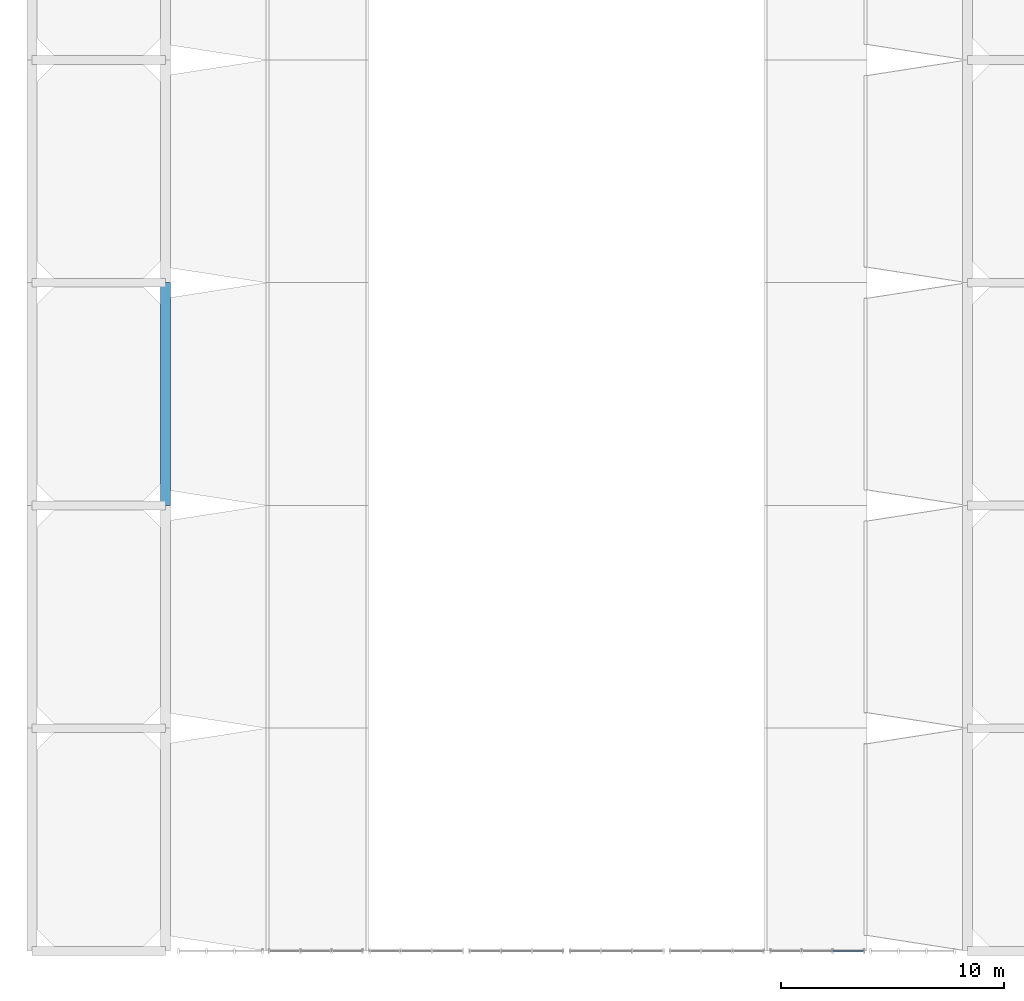
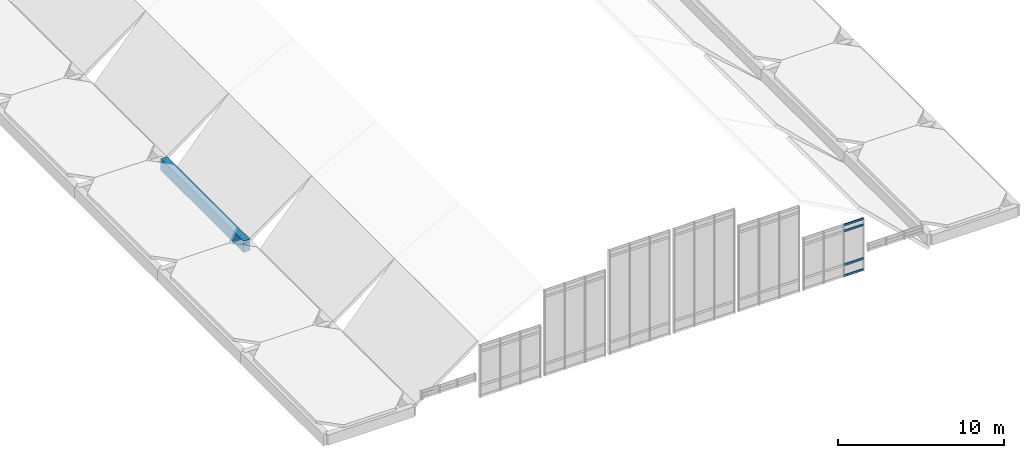
# One storey, part 45 of 82: 4 members, 1 beam, 1 element without a shape of its own.
"""IFC4 building model written with IfcOpenShell, lengths in metres."""

from ifc_helpers import new_model, si_unit, direction, frame, origin, origin_2d, place, context, subcontext, project, spatial, rectangle, hollow_rectangle, extrude, material, layer, layer_set, material_profile, profile_set, type_object, element, aggregate, save


model = new_model("IFC4")

# Units and contexts
model_context = context("Model", 3, precision=1e-05, world=origin(), true_north=direction((0.0, 1.0)))
body_context = subcontext(model_context, "Body", "Model", "MODEL_VIEW")
ifc_project = project(units=[si_unit("LENGTHUNIT", "METRE"), si_unit("AREAUNIT", "SQUARE_METRE"), si_unit("VOLUMEUNIT", "CUBIC_METRE"), si_unit("PLANEANGLEUNIT", "RADIAN"), si_unit("MASSUNIT", "GRAM", prefix="KILO")], contexts=[model_context])

# Site, building, storey
site_placement = place(None, origin())
site = spatial("IfcSite", under=ifc_project, at=site_placement, CompositionType="ELEMENT")
building_placement = place(site_placement, origin())
building = spatial("IfcBuilding", under=site, at=building_placement, Name="Mersad Railyard Sports Hall", CompositionType="ELEMENT")
storey_placement = place(building_placement, frame((0.0, 0.0, 13.199951171875)))
storey = spatial("IfcBuildingStorey", under=building, at=storey_placement, Name="L03", CompositionType="ELEMENT", Elevation=13.199951171875)

# Curtain wall, members
ifc_material_1 = material(Name="Aluminium 6063-T6", Category="aluminium")
ifc_layer = layer(ifc_material_1, 0.199951171875)
ifc_layer_set = layer_set([ifc_layer], Name="Aluminium 6063-T6")
curtain_wall_type = type_object("IfcCurtainWallType", Name="ARC-CW-CW42", PredefinedType="USERDEFINED", material=ifc_layer_set)
curtain_wall_placement = place(storey_placement, origin())
curtain_wall = element("IfcCurtainWall", 1, at=curtain_wall_placement, inside=storey, type_object=curtain_wall_type, Name="Curtain wall CW42-0124", ObjectType="CURTAIN WALL", PredefinedType="USERDEFINED")
ifc_material_profile_1 = material_profile(ifc_material_1, hollow_rectangle(XDim=0.06494140625, YDim=0.14990234375, WallThickness=0.00439453125, at=origin_2d()), Name="AL TRANSOM 65x150x4.5")
ifc_profile_set_1 = profile_set([ifc_material_profile_1], Name="Aluminium 6063-T6")
member_type = type_object("IfcMemberType", Name="ARC-CW-TRN02", PredefinedType="USERDEFINED", material=ifc_profile_set_1)
member_1_placement = place(storey_placement, frame((168.330078125, 3.5, -1.2099609375), z_axis=(-1.0, 0.0, 0.0), x_axis=(0.0, -1.0, 0.0)))
member_1 = element("IfcMember", 2, at=member_1_placement, type_object=member_type, Name="CW42 Transom 1-1", ObjectType="TRANSOM", PredefinedType="USERDEFINED", context=body_context, shape_type="SweptSolid", body=[
    extrude(hollow_rectangle(XDim=0.06494140625, YDim=0.14990234375, WallThickness=0.00439453125, at=origin_2d()), origin(), (0.0, 0.0, 1.0), 1.360107421875),
])
member_2_placement = place(storey_placement, frame((168.330078125, 3.5, -0.39990234375), z_axis=(-1.0, 0.0, 0.0), x_axis=(0.0, -1.0, 0.0)))
member_2 = element("IfcMember", 3, at=member_2_placement, type_object=member_type, Name="CW42 Transom 2-1", ObjectType="TRANSOM", PredefinedType="USERDEFINED", context=body_context, shape_type="SweptSolid", body=[
    extrude(hollow_rectangle(XDim=0.06494140625, YDim=0.14990234375, WallThickness=0.00439453125, at=origin_2d()), origin(), (0.0, 0.0, 1.0), 1.360107421875),
])
member_3_placement = place(storey_placement, frame((168.330078125, 3.5, 2.08203125), z_axis=(-1.0, 0.0, 0.0), x_axis=(0.0, -1.0, 0.0)))
member_3 = element("IfcMember", 4, at=member_3_placement, type_object=member_type, Name="CW42 Transom 3-1", ObjectType="TRANSOM", PredefinedType="USERDEFINED", context=body_context, shape_type="SweptSolid", body=[
    extrude(hollow_rectangle(XDim=0.06494140625, YDim=0.14990234375, WallThickness=0.00439453125, at=origin_2d()), origin(), (0.0, 0.0, 1.0), 1.360107421875),
])
member_4_placement = place(storey_placement, frame((168.330078125, 3.5, 2.52197265625), z_axis=(-1.0, 0.0, 0.0), x_axis=(0.0, -1.0, 0.0)))
member_4 = element("IfcMember", 5, at=member_4_placement, type_object=member_type, Name="CW42 Transom 4-1", ObjectType="TRANSOM", PredefinedType="USERDEFINED", context=body_context, shape_type="SweptSolid", body=[
    extrude(hollow_rectangle(XDim=0.06494140625, YDim=0.14990234375, WallThickness=0.00439453125, at=origin_2d()), origin(), (0.0, 0.0, 1.0), 1.360107421875),
])
aggregate(curtain_wall, [member_1, member_2, member_3, member_4])

# Beam
ifc_material_2 = material(Name="Concrete C40/50", Category="concrete")
ifc_material_profile_2 = material_profile(ifc_material_2, rectangle(XDim=0.449951171875, YDim=0.85009765625, at=origin_2d()), Name="RC 450x850")
ifc_profile_set_2 = profile_set([ifc_material_profile_2], Name="Concrete C40/50")
beam_type = type_object("IfcBeamType", Name="STR-BM-B02", PredefinedType="BEAM", material=ifc_profile_set_2)
beam_placement = place(storey_placement, frame((137.0, 23.5, -0.64501953125), z_axis=(0.0, 1.0, 0.0), x_axis=(-1.0, 0.0, 0.0)))
element("IfcBeam", 6, at=beam_placement, inside=storey, type_object=beam_type, Name="Beam B02-0678", PredefinedType="BEAM", context=body_context, shape_type="SweptSolid", body=[
    extrude(rectangle(XDim=0.449951171875, YDim=0.85009765625, at=origin_2d()), origin(), (0.0, 0.0, 1.0), 10.0),
])

save(model, "model.ifc")
